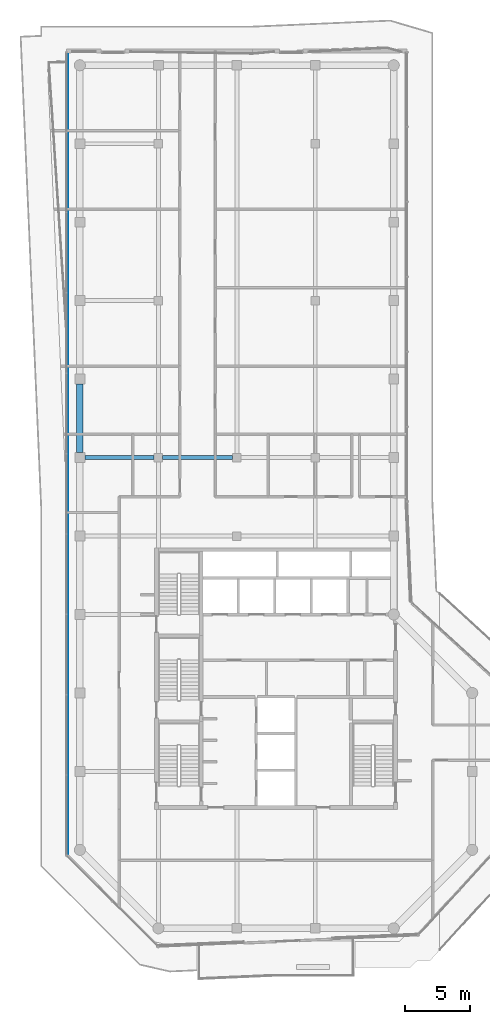
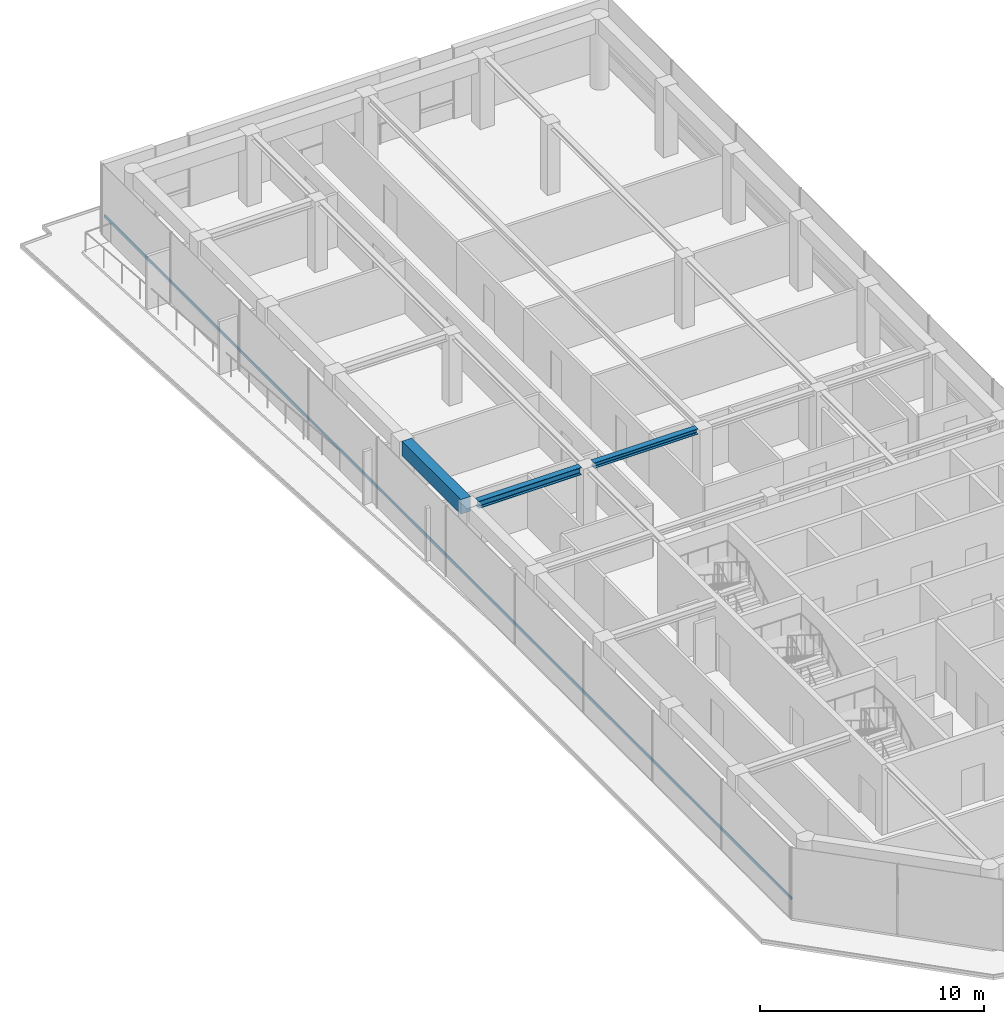
# One storey, part 7 of 20: 3 beams, 1 member, 1 element without a shape of its own.
"""IFC4 building model written with IfcOpenShell, lengths in metres."""

from ifc_helpers import new_model, si_unit, direction, frame, origin, origin_2d, place, context, subcontext, project, spatial, rectangle, i_section, extrude, material, layer, layer_set, material_profile, profile_set, type_object, element, aggregate, save


model = new_model("IFC4")

# Units and contexts
model_context = context("Model", 3, precision=1e-05, world=origin(), true_north=direction((0.0, 1.0)))
body_context = subcontext(model_context, "Body", "Model", "MODEL_VIEW")
ifc_project = project(units=[si_unit("LENGTHUNIT", "METRE"), si_unit("AREAUNIT", "SQUARE_METRE"), si_unit("VOLUMEUNIT", "CUBIC_METRE"), si_unit("PLANEANGLEUNIT", "RADIAN"), si_unit("MASSUNIT", "GRAM", prefix="KILO")], contexts=[model_context])

# Site, building, storey
site_placement = place(None, origin())
site = spatial("IfcSite", under=ifc_project, at=site_placement, CompositionType="ELEMENT")
building_placement = place(site_placement, origin())
building = spatial("IfcBuilding", under=site, at=building_placement, Name="Welwitschia Terrace Campus", CompositionType="ELEMENT")
storey_placement = place(building_placement, frame((0.0, 0.0, 297.800048828125)))
storey = spatial("IfcBuildingStorey", under=building, at=storey_placement, Name="L66", CompositionType="ELEMENT", Elevation=297.800048828125)

# Beams
ifc_material_1 = material(Name="Steel S355", Category="steel")
ifc_material_profile_1 = material_profile(ifc_material_1, i_section(OverallWidth=0.300048828125, OverallDepth=0.300048828125, WebThickness=0.010986328125, FlangeThickness=0.01904296875, FilletRadius=0.027099609375, at=origin_2d()))
ifc_profile_set_1 = profile_set([ifc_material_profile_1], Name="Steel S355")
beam_type_1 = type_object("IfcBeamType", Name="Interior girder HE 300 B", PredefinedType="BEAM", material=ifc_profile_set_1)
beam_1_placement = place(storey_placement, frame((6.325439453125, 32.0, 3.699951171875), z_axis=(1.0, 0.0, 0.0), x_axis=(0.0, 1.0, 0.0)))
element("IfcBeam", 1, at=beam_1_placement, inside=storey, type_object=beam_type_1, Name="Girder GB6", PredefinedType="BEAM", context=body_context, shape_type="SweptSolid", body=[
    extrude(i_section(OverallWidth=0.300048828125, OverallDepth=0.300048828125, WebThickness=0.010986328125, FlangeThickness=0.01904296875, FilletRadius=0.027099609375, at=origin_2d()), origin(), (0.0, 0.0, 1.0), 5.34912109375),
])
ifc_material_2 = material(Name="Steel S355", Category="steel")
ifc_material_profile_2 = material_profile(ifc_material_2, i_section(OverallWidth=0.300048828125, OverallDepth=0.39990234375, WebThickness=0.013427734375, FlangeThickness=0.02392578125, FilletRadius=0.027099609375, at=origin_2d()))
ifc_profile_set_2 = profile_set([ifc_material_profile_2], Name="Steel S355")
beam_type_2 = type_object("IfcBeamType", Name="Primary beam HE 400 B", PredefinedType="BEAM", material=ifc_profile_set_2)
beam_2_placement = place(storey_placement, frame((0.37548828125, 32.0, 3.64990234375), z_axis=(1.0, 0.0, 0.0), x_axis=(0.0, 1.0, 0.0)))
element("IfcBeam", 2, at=beam_2_placement, inside=storey, type_object=beam_type_2, Name="Primary beam PB6", PredefinedType="BEAM", context=body_context, shape_type="SweptSolid", body=[
    extrude(i_section(OverallWidth=0.300048828125, OverallDepth=0.39990234375, WebThickness=0.013427734375, FlangeThickness=0.02392578125, FilletRadius=0.027099609375, at=origin_2d()), origin(), (0.0, 0.0, 1.0), 5.299072265625),
])
ifc_material_3 = material(Name="Concrete C50/60", Category="concrete")
ifc_material_profile_3 = material_profile(ifc_material_3, rectangle(XDim=0.5, YDim=0.800048828125, at=origin_2d()))
ifc_profile_set_3 = profile_set([ifc_material_profile_3], Name="Concrete C50/60")
beam_type_3 = type_object("IfcBeamType", Name="Ring spandrel 500x800", PredefinedType="SPANDREL", material=ifc_profile_set_3)
beam_3_placement = place(storey_placement, frame((0.0, 37.62451171875, 3.449951171875), z_axis=(0.0, -1.0, 0.0), x_axis=(1.0, 0.0, 0.0)))
element("IfcBeam", 3, at=beam_3_placement, inside=storey, type_object=beam_type_3, Name="Spandrel SP4", PredefinedType="SPANDREL", context=body_context, shape_type="SweptSolid", body=[
    extrude(rectangle(XDim=0.5, YDim=0.800048828125, at=origin_2d()), origin(), (0.0, 0.0, 1.0), 5.2490234375),
])

# Curtain wall, member
ifc_material_4 = material(Name="Bronze anodised aluminium", Category="aluminium")
ifc_layer = layer(ifc_material_4, 0.1201171875)
ifc_layer_set = layer_set([ifc_layer], Name="Bronze anodised aluminium")
curtain_wall_type = type_object("IfcCurtainWallType", Name="Curtain wall CW2 tower 6000", PredefinedType="NOTDEFINED", material=ifc_layer_set)
curtain_wall_placement = place(storey_placement, origin())
curtain_wall = element("IfcCurtainWall", 4, at=curtain_wall_placement, inside=storey, type_object=curtain_wall_type, Name="CW L66.9.0", PredefinedType="NOTDEFINED")
ifc_material_5 = material(Name="Bronze anodised aluminium", Category="aluminium")
ifc_material_profile_4 = material_profile(ifc_material_5, rectangle(XDim=0.06005859375, YDim=0.14990234375, at=origin_2d()))
ifc_profile_set_4 = profile_set([ifc_material_profile_4], Name="Bronze anodised aluminium")
member_type = type_object("IfcMemberType", Name="Transom 60x150", PredefinedType="USERDEFINED", material=ifc_profile_set_4)
member_placement = place(storey_placement, frame((-0.93994140625, 62.969970703125, 1.0), z_axis=(0.0, -1.0, 0.0), x_axis=(1.0, 0.0, 0.0)))
member = element("IfcMember", 5, at=member_placement, type_object=member_type, Name="Transom L66.9.0", ObjectType="TRANSOM", PredefinedType="USERDEFINED", context=body_context, shape_type="SweptSolid", body=[
    extrude(rectangle(XDim=0.06005859375, YDim=0.14990234375, at=origin_2d()), origin(), (0.0, 0.0, 1.0), 61.336669921875),
])
aggregate(curtain_wall, [member])

save(model, "model.ifc")
